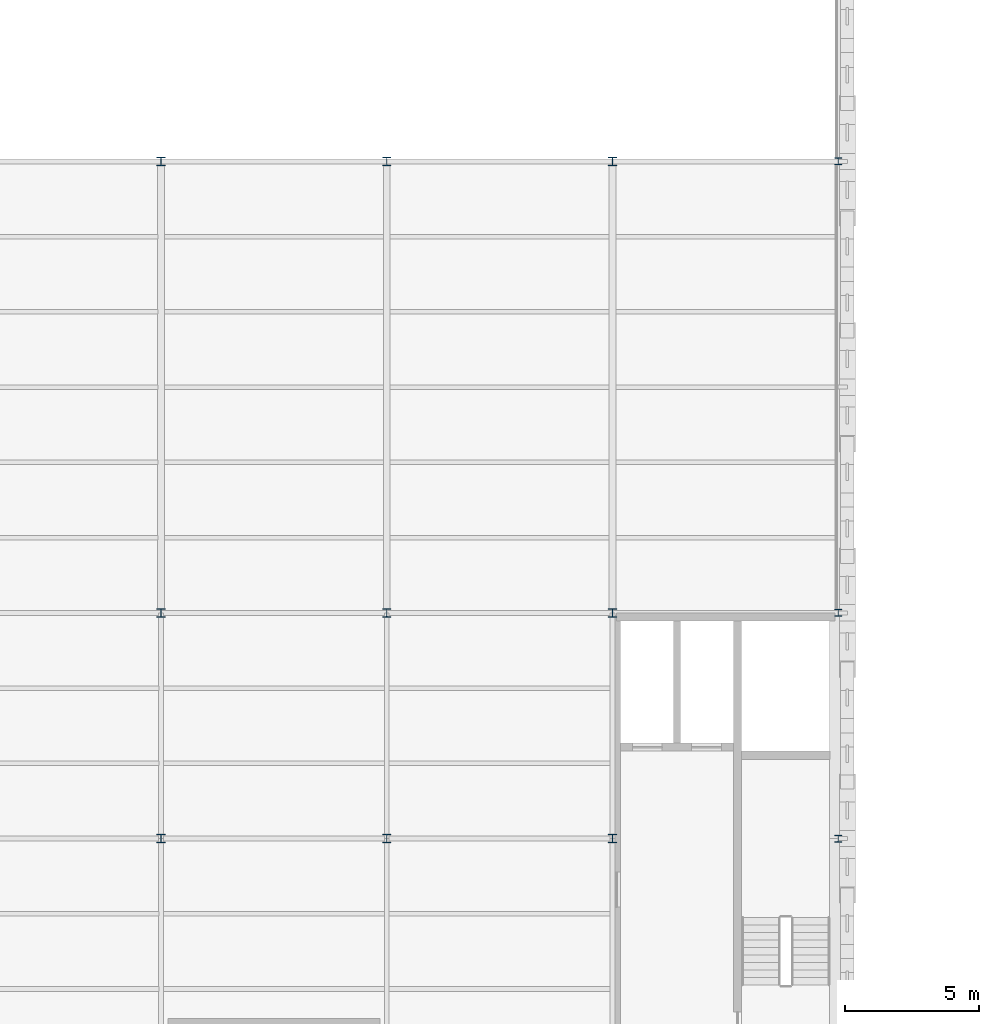
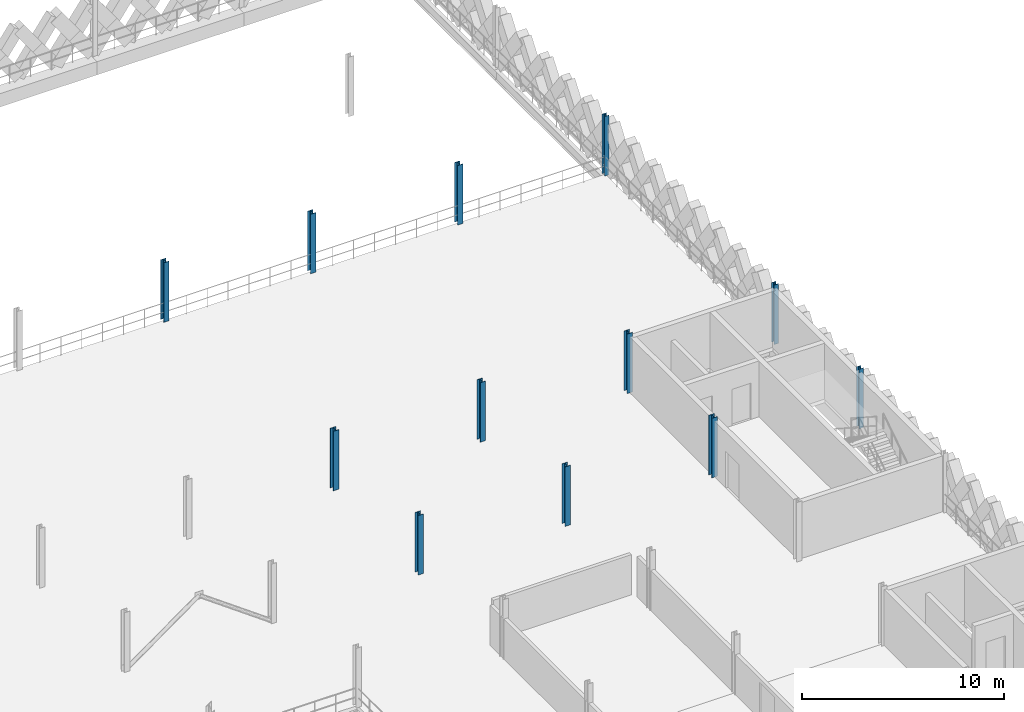
# One storey, part 11 of 47: 12 columns.
"""IFC4 building model written with IfcOpenShell, lengths in metres."""

from ifc_helpers import new_model, si_unit, direction, frame, origin, origin_2d, place, context, subcontext, project, spatial, i_section, extrude, material, material_profile, profile_set, type_object, element, save


model = new_model("IFC4")

# Units and contexts
model_context = context("Model", 3, precision=1e-05, world=origin(), true_north=direction((0.0, 1.0)))
body_context = subcontext(model_context, "Body", "Model", "MODEL_VIEW")
ifc_project = project(units=[si_unit("LENGTHUNIT", "METRE"), si_unit("AREAUNIT", "SQUARE_METRE"), si_unit("VOLUMEUNIT", "CUBIC_METRE"), si_unit("PLANEANGLEUNIT", "RADIAN"), si_unit("MASSUNIT", "GRAM", prefix="KILO"), si_unit("THERMODYNAMICTEMPERATUREUNIT", "KELVIN"), si_unit("POWERUNIT", "WATT")], contexts=[model_context])

# Site, building, storey
site_placement = place(None, origin())
site = spatial("IfcSite", under=ifc_project, at=site_placement, CompositionType="ELEMENT")
building_placement = place(site_placement, origin())
building = spatial("IfcBuilding", under=site, at=building_placement, Name="Tembeka Court Mobility Hub", CompositionType="ELEMENT")
storey_placement = place(building_placement, frame((0.0, 0.0, 19.800048828125)))
storey = spatial("IfcBuildingStorey", under=building, at=storey_placement, Name="L05", CompositionType="ELEMENT", Elevation=19.800048828125)

# Columns
ifc_material = material(Name="Steel S355", Category="steel")
ifc_material_profile_1 = material_profile(ifc_material, i_section(OverallWidth=0.30908203125, OverallDepth=0.321044921875, WebThickness=0.013916015625, FlangeThickness=0.021728515625, FilletRadius=0.01513671875, at=origin_2d()), Name="UKC 305x305x137")
ifc_profile_set_1 = profile_set([ifc_material_profile_1], Name="Steel S355")
column_type_1 = type_object("IfcColumnType", Name="COL-C04", PredefinedType="COLUMN", material=ifc_profile_set_1)
for number, where, z_axis, x_axis, name in (
    (1, (67.199951171875, 72.0, 0.0), (0.0, 0.0, 1.0), (1.0, 0.0, 0.0), "Column C04 (L05-099)"),
    (2, (67.199951171875, 80.39990234375, 0.0), (0.0, 0.0, 1.0), (1.0, 0.0, 0.0), "Column C04 (L05-100)"),
    (3, (67.199951171875, 97.199951171875, 0.0), (0.0, 0.0, 1.0), (1.0, 0.0, 0.0), "Column C04 (L05-101)"),
    (4, (75.60009765625, 72.0, 0.0), (0.0, 0.0, 1.0), (1.0, 0.0, 0.0), "Column C04 (L05-109)"),
    (5, (75.60009765625, 80.39990234375, 0.0), (0.0, 0.0, 1.0), (1.0, 0.0, 0.0), "Column C04 (L05-110)"),
    (6, (75.60009765625, 97.199951171875, 0.0), (0.0, 0.0, 1.0), (1.0, 0.0, 0.0), "Column C04 (L05-111)"),
    (7, (84.0, 72.0, 0.0), (0.0, 0.0, 1.0), (1.0, 0.0, 0.0), "Column C04 (L05-120)"),
    (8, (84.0, 80.39990234375, 0.0), (0.0, 0.0, 1.0), (1.0, 0.0, 0.0), "Column C04 (L05-121)"),
    (9, (84.0, 97.199951171875, 0.0), (0.0, 0.0, 1.0), (1.0, 0.0, 0.0), "Column C04 (L05-122)"),
):
    element("IfcColumn", number, at=place(storey_placement, frame(where, z_axis=z_axis, x_axis=x_axis)), inside=storey, type_object=column_type_1, Name=name, PredefinedType="COLUMN", context=body_context, shape_type="SweptSolid", body=[
        extrude(i_section(OverallWidth=0.30908203125, OverallDepth=0.321044921875, WebThickness=0.013916015625, FlangeThickness=0.021728515625, FilletRadius=0.01513671875, at=origin_2d()), origin(), (0.0, 0.0, 1.0), 3.599853515625),
    ])
ifc_material_profile_2 = material_profile(ifc_material, i_section(OverallWidth=0.256103515625, OverallDepth=0.260009765625, WebThickness=0.01025390625, FlangeThickness=0.017333984375, FilletRadius=0.0126953125, at=origin_2d()), Name="UKC 254x254x89")
ifc_profile_set_2 = profile_set([ifc_material_profile_2], Name="Steel S355")
column_type_2 = type_object("IfcColumnType", Name="COL-C05", PredefinedType="COLUMN", material=ifc_profile_set_2)
for number, where, z_axis, x_axis, name in (
    (10, (92.39990234375, 72.0, 0.0), (0.0, 0.0, 1.0), (1.0, 0.0, 0.0), "Column C05 (L05-132)"),
    (11, (92.39990234375, 80.39990234375, 0.0), (0.0, 0.0, 1.0), (1.0, 0.0, 0.0), "Column C05 (L05-133)"),
    (12, (92.39990234375, 97.199951171875, 0.0), (0.0, 0.0, 1.0), (1.0, 0.0, 0.0), "Column C05 (L05-134)"),
):
    element("IfcColumn", number, at=place(storey_placement, frame(where, z_axis=z_axis, x_axis=x_axis)), inside=storey, type_object=column_type_2, Name=name, PredefinedType="COLUMN", context=body_context, shape_type="SweptSolid", body=[
        extrude(i_section(OverallWidth=0.256103515625, OverallDepth=0.260009765625, WebThickness=0.01025390625, FlangeThickness=0.017333984375, FilletRadius=0.0126953125, at=origin_2d()), origin(), (0.0, 0.0, 1.0), 3.599853515625),
    ])

save(model, "model.ifc")
